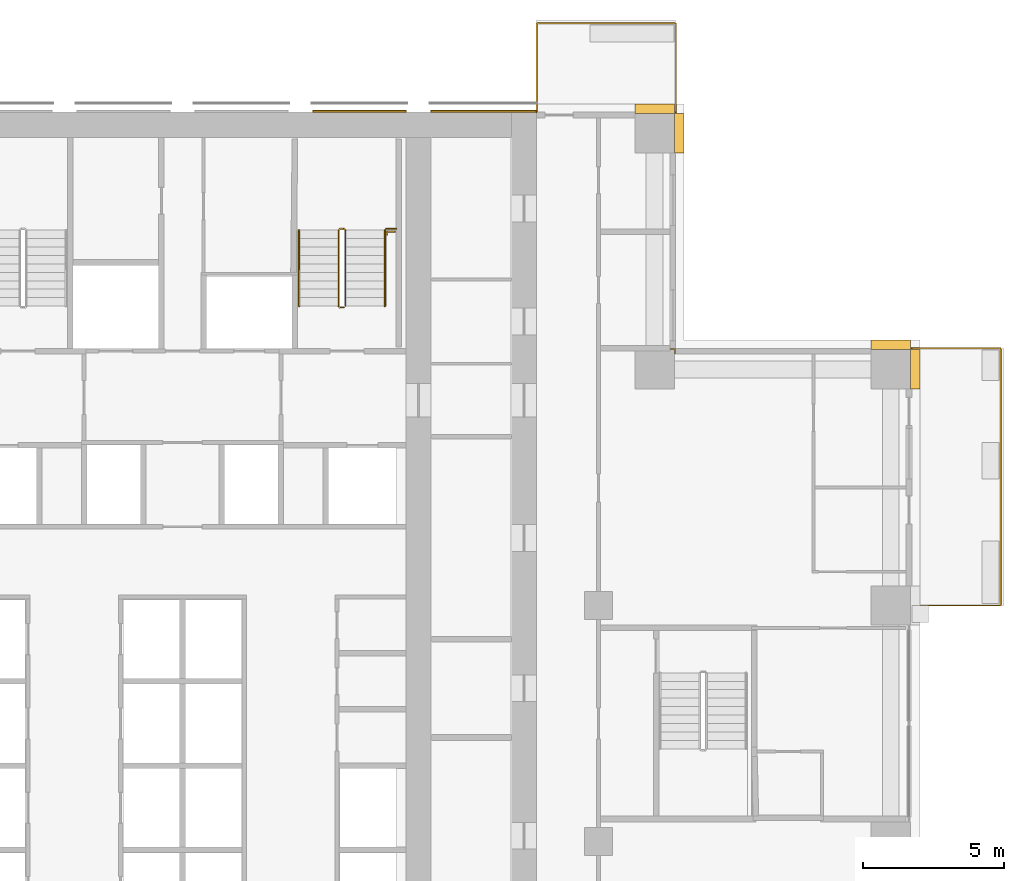
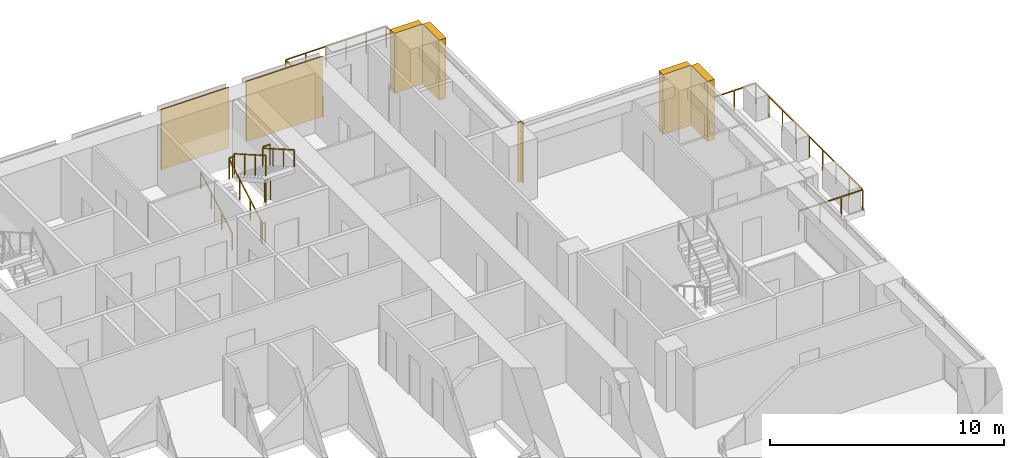
# One storey, part 16 of 16: 7 coverings, 7 railings.
"""IFC4 building model written with IfcOpenShell, lengths in metres."""

from ifc_helpers import new_model, si_unit, direction, frame, origin, origin_2d, place, context, subcontext, project, spatial, polyline, rectangle, outline, extrude, material, type_object, element, save


model = new_model("IFC4")

# Units and contexts
model_context = context("Model", 3, precision=1e-05, world=origin(), true_north=direction((0.0, 1.0)))
body_context = subcontext(model_context, "Body", "Model", "MODEL_VIEW")
ifc_project = project(units=[si_unit("LENGTHUNIT", "METRE"), si_unit("AREAUNIT", "SQUARE_METRE"), si_unit("VOLUMEUNIT", "CUBIC_METRE"), si_unit("PLANEANGLEUNIT", "RADIAN"), si_unit("MASSUNIT", "GRAM", prefix="KILO")], contexts=[model_context])

# Site, building, storey
site_placement = place(None, origin())
site = spatial("IfcSite", under=ifc_project, at=site_placement, CompositionType="ELEMENT")
building_placement = place(site_placement, origin())
building = spatial("IfcBuilding", under=site, at=building_placement, Name="Vermilion Ogive Tower", CompositionType="ELEMENT")
storey_placement = place(building_placement, frame((0.0, 0.0, 44.85009765625)))
storey = spatial("IfcBuildingStorey", under=building, at=storey_placement, Name="L09", CompositionType="ELEMENT", Elevation=44.85009765625)

# Railings
ifc_material_1 = material(Name="Stainless steel and glass", Category="steel")
railing_type_1 = type_object("IfcRailingType", Name="Balcony guard", PredefinedType="GUARDRAIL", material=ifc_material_1)
railing_1_placement = place(storey_placement, frame((25.949951171875, 4.199951171875, -0.0400390625)))
element("IfcRailing", 1, at=railing_1_placement, inside=storey, type_object=railing_type_1, Name="Guard E03", PredefinedType="GUARDRAIL", context=body_context, shape_type="SweptSolid", body=[
    extrude(rectangle(XDim=0.048095703125, YDim=0.048095703125, at=origin_2d()), frame((0.0, 0.0, 1.076171875), z_axis=(1.0, 0.0, 0.0), x_axis=(0.0, 1.0, 0.0)), (0.0, 0.0, 1.0), 3.16015625),
    extrude(rectangle(XDim=0.048095703125, YDim=0.048095703125, at=origin_2d()), frame((3.16015625, 0.0, 1.076171875), z_axis=(0.0, 1.0, 0.0), x_axis=(-1.0, 0.0, 0.0)), (0.0, 0.0, 1.0), 9.150146484375),
    extrude(rectangle(XDim=0.048095703125, YDim=0.048095703125, at=origin_2d()), frame((3.16015625, 9.150146484375, 1.076171875), z_axis=(-1.0, 0.0, 0.0), x_axis=(0.0, -1.0, 0.0)), (0.0, 0.0, 1.0), 3.16015625),
    extrude(rectangle(XDim=0.0419921875, YDim=0.0419921875, at=origin_2d()), origin(), (0.0, 0.0, 1.0), 1.052001953125),
    extrude(rectangle(XDim=0.0419921875, YDim=0.0419921875, at=origin_2d()), frame((1.053466796875, 0.0, 0.0)), (0.0, 0.0, 1.0), 1.052001953125),
    extrude(rectangle(XDim=0.0419921875, YDim=0.0419921875, at=origin_2d()), frame((2.106689453125, 0.0, 0.0)), (0.0, 0.0, 1.0), 1.052001953125),
    extrude(rectangle(XDim=0.0419921875, YDim=0.0419921875, at=origin_2d()), frame((3.16015625, 0.0, 0.0)), (0.0, 0.0, 1.0), 1.052001953125),
    extrude(rectangle(XDim=0.0419921875, YDim=0.0419921875, at=origin_2d()), frame((3.16015625, 1.143798828125, 0.0)), (0.0, 0.0, 1.0), 1.052001953125),
    extrude(rectangle(XDim=0.0419921875, YDim=0.0419921875, at=origin_2d()), frame((3.16015625, 2.28759765625, 0.0)), (0.0, 0.0, 1.0), 1.052001953125),
    extrude(rectangle(XDim=0.0419921875, YDim=0.0419921875, at=origin_2d()), frame((3.16015625, 3.431396484375, 0.0)), (0.0, 0.0, 1.0), 1.052001953125),
    extrude(rectangle(XDim=0.0419921875, YDim=0.0419921875, at=origin_2d()), frame((3.16015625, 4.5751953125, 0.0)), (0.0, 0.0, 1.0), 1.052001953125),
    extrude(rectangle(XDim=0.0419921875, YDim=0.0419921875, at=origin_2d()), frame((3.16015625, 5.71875, 0.0)), (0.0, 0.0, 1.0), 1.052001953125),
    extrude(rectangle(XDim=0.0419921875, YDim=0.0419921875, at=origin_2d()), frame((3.16015625, 6.862548828125, 0.0)), (0.0, 0.0, 1.0), 1.052001953125),
    extrude(rectangle(XDim=0.0419921875, YDim=0.0419921875, at=origin_2d()), frame((3.16015625, 8.00634765625, 0.0)), (0.0, 0.0, 1.0), 1.052001953125),
    extrude(rectangle(XDim=0.0419921875, YDim=0.0419921875, at=origin_2d()), frame((3.16015625, 9.150146484375, 0.0)), (0.0, 0.0, 1.0), 1.052001953125),
    extrude(rectangle(XDim=0.0419921875, YDim=0.0419921875, at=origin_2d()), frame((2.106689453125, 9.150146484375, 0.0)), (0.0, 0.0, 1.0), 1.052001953125),
    extrude(rectangle(XDim=0.0419921875, YDim=0.0419921875, at=origin_2d()), frame((1.053466796875, 9.150146484375, 0.0)), (0.0, 0.0, 1.0), 1.052001953125),
    extrude(rectangle(XDim=0.0419921875, YDim=0.0419921875, at=origin_2d()), frame((0.0, 9.150146484375, 0.0)), (0.0, 0.0, 1.0), 1.052001953125),
])
railing_2_placement = place(storey_placement, frame((17.550048828125, 21.75, -0.0400390625)))
element("IfcRailing", 2, at=railing_2_placement, inside=storey, type_object=railing_type_1, Name="Guard N101", PredefinedType="GUARDRAIL", context=body_context, shape_type="SweptSolid", body=[
    extrude(rectangle(XDim=0.048095703125, YDim=0.048095703125, at=origin_2d()), frame((0.0, 0.0, 1.076171875), z_axis=(0.0, 1.0, 0.0), x_axis=(-1.0, 0.0, 0.0)), (0.0, 0.0, 1.0), 3.159912109375),
    extrude(rectangle(XDim=0.048095703125, YDim=0.048095703125, at=origin_2d()), frame((0.0, 3.159912109375, 1.076171875), z_axis=(-1.0, 0.0, 0.0), x_axis=(0.0, -1.0, 0.0)), (0.0, 0.0, 1.0), 4.949951171875),
    extrude(rectangle(XDim=0.048095703125, YDim=0.048095703125, at=origin_2d()), frame((-4.949951171875, 3.159912109375, 1.076171875), z_axis=(0.0, -1.0, 0.0), x_axis=(1.0, 0.0, 0.0)), (0.0, 0.0, 1.0), 3.159912109375),
    extrude(rectangle(XDim=0.0419921875, YDim=0.0419921875, at=origin_2d()), origin(), (0.0, 0.0, 1.0), 1.052001953125),
    extrude(rectangle(XDim=0.0419921875, YDim=0.0419921875, at=origin_2d()), frame((0.0, 1.05322265625, 0.0)), (0.0, 0.0, 1.0), 1.052001953125),
    extrude(rectangle(XDim=0.0419921875, YDim=0.0419921875, at=origin_2d()), frame((0.0, 2.106689453125, 0.0)), (0.0, 0.0, 1.0), 1.052001953125),
    extrude(rectangle(XDim=0.0419921875, YDim=0.0419921875, at=origin_2d()), frame((0.0, 3.159912109375, 0.0)), (0.0, 0.0, 1.0), 1.052001953125),
    extrude(rectangle(XDim=0.0419921875, YDim=0.0419921875, at=origin_2d()), frame((-0.989990234375, 3.159912109375, 0.0)), (0.0, 0.0, 1.0), 1.052001953125),
    extrude(rectangle(XDim=0.0419921875, YDim=0.0419921875, at=origin_2d()), frame((-1.97998046875, 3.159912109375, 0.0)), (0.0, 0.0, 1.0), 1.052001953125),
    extrude(rectangle(XDim=0.0419921875, YDim=0.0419921875, at=origin_2d()), frame((-2.969970703125, 3.159912109375, 0.0)), (0.0, 0.0, 1.0), 1.052001953125),
    extrude(rectangle(XDim=0.0419921875, YDim=0.0419921875, at=origin_2d()), frame((-3.9599609375, 3.159912109375, 0.0)), (0.0, 0.0, 1.0), 1.052001953125),
    extrude(rectangle(XDim=0.0419921875, YDim=0.0419921875, at=origin_2d()), frame((-4.949951171875, 3.159912109375, 0.0)), (0.0, 0.0, 1.0), 1.052001953125),
    extrude(rectangle(XDim=0.0419921875, YDim=0.0419921875, at=origin_2d()), frame((-4.949951171875, 2.106689453125, 0.0)), (0.0, 0.0, 1.0), 1.052001953125),
    extrude(rectangle(XDim=0.0419921875, YDim=0.0419921875, at=origin_2d()), frame((-4.949951171875, 1.05322265625, 0.0)), (0.0, 0.0, 1.0), 1.052001953125),
    extrude(rectangle(XDim=0.0419921875, YDim=0.0419921875, at=origin_2d()), frame((-4.949951171875, 0.0, 0.0)), (0.0, 0.0, 1.0), 1.052001953125),
])
ifc_material_2 = material(Name="Steel S355 painted", Category="steel")
railing_type_2 = type_object("IfcRailingType", Name="Stair guard 1100", PredefinedType="GUARDRAIL", material=ifc_material_2)
railing_3_placement = place(storey_placement, frame((5.75, 14.800048828125, 0.0)))
element("IfcRailing", 3, at=railing_3_placement, inside=storey, type_object=railing_type_2, Name="L09 ST2 stair guard 4", PredefinedType="GUARDRAIL", context=body_context, shape_type="SweptSolid", body=[
    extrude(rectangle(XDim=0.048095703125, YDim=0.048095703125, at=origin_2d()), frame((0.0, 0.0, 1.076171875), z_axis=(-1.0, 0.0, 0.0), x_axis=(0.0, -1.0, 0.0)), (0.0, 0.0, 1.0), 0.14990234375),
    extrude(rectangle(XDim=0.048095703125, YDim=0.048095703125, at=origin_2d()), frame((-0.14990234375, 0.0, 1.076171875), z_axis=(-0.268603158521, 0.268603158521, 0.925043072762), x_axis=(-0.707106781187, -0.707106781187, 0.0)), (0.0, 0.0, 1.0), 0.186279296875),
    extrude(rectangle(XDim=0.048095703125, YDim=0.048095703125, at=origin_2d()), frame((-0.199951171875, 0.050048828125, 1.24853515625), z_axis=(0.0, 0.866903762492, 0.498475542607), x_axis=(-1.0, 0.0, 0.0)), (0.0, 0.0, 1.0), 3.114501953125),
    extrude(rectangle(XDim=0.048095703125, YDim=0.048095703125, at=origin_2d()), frame((-0.199951171875, 2.75, 2.80078125), z_axis=(0.707106781187, 0.707106781187, 0.0), x_axis=(-0.707106781187, 0.707106781187, 0.0)), (0.0, 0.0, 1.0), 0.07080078125),
    extrude(rectangle(XDim=0.048095703125, YDim=0.048095703125, at=origin_2d()), frame((-0.14990234375, 2.800048828125, 2.80078125), z_axis=(1.0, 0.0, 0.0), x_axis=(0.0, 1.0, 0.0)), (0.0, 0.0, 1.0), 0.14990234375),
    extrude(rectangle(XDim=0.048095703125, YDim=0.048095703125, at=origin_2d()), frame((0.0, 2.800048828125, 2.80078125), z_axis=(0.268277960024, -0.268277960024, 0.925231793839), x_axis=(0.707106781187, 0.707106781187, 0.0)), (0.0, 0.0, 1.0), 0.1865234375),
    extrude(rectangle(XDim=0.048095703125, YDim=0.048095703125, at=origin_2d()), frame((0.050048828125, 2.75, 2.9736328125), z_axis=(0.0, -0.866903762492, 0.498475542607), x_axis=(1.0, 0.0, 0.0)), (0.0, 0.0, 1.0), 3.114501953125),
    extrude(rectangle(XDim=0.0419921875, YDim=0.0419921875, at=origin_2d()), origin(), (0.0, 0.0, 1.0), 1.052001953125),
    extrude(rectangle(XDim=0.0419921875, YDim=0.0419921875, at=origin_2d()), frame((-0.14990234375, 0.0, 0.0)), (0.0, 0.0, 1.0), 1.052001953125),
    extrude(rectangle(XDim=0.0419921875, YDim=0.0419921875, at=origin_2d()), frame((-0.199951171875, 0.050048828125, 0.17236328125)), (0.0, 0.0, 1.0), 1.052001953125),
    extrude(rectangle(XDim=0.0419921875, YDim=0.0419921875, at=origin_2d()), frame((-0.199951171875, 0.949951171875, 0.68994140625)), (0.0, 0.0, 1.0), 1.052001953125),
    extrude(rectangle(XDim=0.0419921875, YDim=0.0419921875, at=origin_2d()), frame((-0.199951171875, 1.85009765625, 1.207275390625)), (0.0, 0.0, 1.0), 1.052001953125),
    extrude(rectangle(XDim=0.0419921875, YDim=0.0419921875, at=origin_2d()), frame((-0.199951171875, 2.75, 1.724853515625)), (0.0, 0.0, 1.0), 1.052001953125),
    extrude(rectangle(XDim=0.0419921875, YDim=0.0419921875, at=origin_2d()), frame((-0.14990234375, 2.800048828125, 1.724853515625)), (0.0, 0.0, 1.0), 1.052001953125),
    extrude(rectangle(XDim=0.0419921875, YDim=0.0419921875, at=origin_2d()), frame((0.0, 2.800048828125, 1.724853515625)), (0.0, 0.0, 1.0), 1.052001953125),
    extrude(rectangle(XDim=0.0419921875, YDim=0.0419921875, at=origin_2d()), frame((0.050048828125, 2.75, 1.8974609375)), (0.0, 0.0, 1.0), 1.052001953125),
    extrude(rectangle(XDim=0.0419921875, YDim=0.0419921875, at=origin_2d()), frame((0.050048828125, 1.85009765625, 2.4150390625)), (0.0, 0.0, 1.0), 1.052001953125),
    extrude(rectangle(XDim=0.0419921875, YDim=0.0419921875, at=origin_2d()), frame((0.050048828125, 0.949951171875, 2.932373046875)), (0.0, 0.0, 1.0), 1.052001953125),
    extrude(rectangle(XDim=0.0419921875, YDim=0.0419921875, at=origin_2d()), frame((0.050048828125, 0.050048828125, 3.449951171875)), (0.0, 0.0, 1.0), 1.052001953125),
])
railing_4_placement = place(storey_placement, frame((7.25, 17.60009765625, 1.724853515625)))
element("IfcRailing", 4, at=railing_4_placement, inside=storey, type_object=railing_type_2, Name="L09 landing guard", PredefinedType="GUARDRAIL", context=body_context, shape_type="SweptSolid", body=[
    extrude(rectangle(XDim=0.048095703125, YDim=0.048095703125, at=origin_2d()), frame((0.0, 0.0, 1.076171875), z_axis=(1.0, 0.0, 0.0), x_axis=(0.0, 1.0, 0.0)), (0.0, 0.0, 1.0), 0.35009765625),
    extrude(rectangle(XDim=0.0419921875, YDim=0.0419921875, at=origin_2d()), origin(), (0.0, 0.0, 1.0), 1.052001953125),
    extrude(rectangle(XDim=0.0419921875, YDim=0.0419921875, at=origin_2d()), frame((0.35009765625, 0.0, 0.0)), (0.0, 0.0, 1.0), 1.052001953125),
])
railing_5_placement = place(storey_placement, frame((7.27294921875, 17.37451171875, 0.0)))
element("IfcRailing", 5, at=railing_5_placement, inside=storey, type_object=railing_type_2, Name="L09 stair opening guard", PredefinedType="GUARDRAIL", context=body_context, shape_type="SweptSolid", body=[
    extrude(rectangle(XDim=0.048095703125, YDim=0.048095703125, at=origin_2d()), frame((0.0, 0.0, 1.076171875), z_axis=(0.0, 1.0, 0.0), x_axis=(-1.0, 0.0, 0.0)), (0.0, 0.0, 1.0), 0.1201171875),
    extrude(rectangle(XDim=0.048095703125, YDim=0.048095703125, at=origin_2d()), frame((0.0, 0.1201171875, 1.076171875), z_axis=(1.0, 0.0, 0.0), x_axis=(0.0, 1.0, 0.0)), (0.0, 0.0, 1.0), 0.2900390625),
    extrude(rectangle(XDim=0.0419921875, YDim=0.0419921875, at=origin_2d()), origin(), (0.0, 0.0, 1.0), 1.052001953125),
    extrude(rectangle(XDim=0.0419921875, YDim=0.0419921875, at=origin_2d()), frame((0.0, 0.1201171875, 0.0)), (0.0, 0.0, 1.0), 1.052001953125),
    extrude(rectangle(XDim=0.0419921875, YDim=0.0419921875, at=origin_2d()), frame((0.2900390625, 0.1201171875, 0.0)), (0.0, 0.0, 1.0), 1.052001953125),
])
ifc_material_3 = material(Name="Stainless steel", Category="steel")
railing_type_3 = type_object("IfcRailingType", Name="Stair handrail 900", PredefinedType="HANDRAIL", material=ifc_material_3)
railing_6_placement = place(storey_placement, frame((4.14990234375, 14.85009765625, 0.17236328125)))
element("IfcRailing", 6, at=railing_6_placement, inside=storey, type_object=railing_type_3, Name="L09 ST2 stair handrail 1", PredefinedType="HANDRAIL", context=body_context, shape_type="SweptSolid", body=[
    extrude(rectangle(XDim=0.048095703125, YDim=0.048095703125, at=origin_2d()), frame((0.0, 0.0, 0.8759765625), z_axis=(0.0, 0.866903762492, 0.498475542607), x_axis=(-1.0, 0.0, 0.0)), (0.0, 0.0, 1.0), 3.114501953125),
    extrude(rectangle(XDim=0.0419921875, YDim=0.0419921875, at=origin_2d()), origin(), (0.0, 0.0, 1.0), 0.851806640625),
    extrude(rectangle(XDim=0.0419921875, YDim=0.0419921875, at=origin_2d()), frame((0.0, 0.89990234375, 0.517578125)), (0.0, 0.0, 1.0), 0.851806640625),
    extrude(rectangle(XDim=0.0419921875, YDim=0.0419921875, at=origin_2d()), frame((0.0, 1.800048828125, 1.034912109375)), (0.0, 0.0, 1.0), 0.851806640625),
    extrude(rectangle(XDim=0.0419921875, YDim=0.0419921875, at=origin_2d()), frame((0.0, 2.699951171875, 1.552490234375)), (0.0, 0.0, 1.0), 0.851806640625),
])
railing_7_placement = place(storey_placement, frame((7.199951171875, 17.550048828125, 1.8974609375)))
element("IfcRailing", 7, at=railing_7_placement, inside=storey, type_object=railing_type_3, Name="L09 ST2 stair handrail 2", PredefinedType="HANDRAIL", context=body_context, shape_type="SweptSolid", body=[
    extrude(rectangle(XDim=0.048095703125, YDim=0.048095703125, at=origin_2d()), frame((0.0, 0.0, 0.8759765625), z_axis=(0.0, -0.866903762492, 0.498475542607), x_axis=(1.0, 0.0, 0.0)), (0.0, 0.0, 1.0), 3.114501953125),
    extrude(rectangle(XDim=0.0419921875, YDim=0.0419921875, at=origin_2d()), origin(), (0.0, 0.0, 1.0), 0.851806640625),
    extrude(rectangle(XDim=0.0419921875, YDim=0.0419921875, at=origin_2d()), frame((0.0, -0.89990234375, 0.517578125)), (0.0, 0.0, 1.0), 0.851806640625),
    extrude(rectangle(XDim=0.0419921875, YDim=0.0419921875, at=origin_2d()), frame((0.0, -1.800048828125, 1.034912109375)), (0.0, 0.0, 1.0), 0.851806640625),
    extrude(rectangle(XDim=0.0419921875, YDim=0.0419921875, at=origin_2d()), frame((0.0, -2.699951171875, 1.552490234375)), (0.0, 0.0, 1.0), 0.851806640625),
])

# Coverings
ifc_material_4 = material(Name="Stone cladding", Category="masonry")
covering_type_1 = type_object("IfcCoveringType", Name="Stone cladding panel", PredefinedType="CLADDING", material=ifc_material_4)
covering_1_placement = place(storey_placement, origin())
element("IfcCovering", 8, at=covering_1_placement, inside=storey, type_object=covering_type_1, Name="Stone cladding panel N5", PredefinedType="CLADDING", context=body_context, shape_type="SweptSolid", body=[
    extrude(outline(polyline([(4.6298828125, 21.75), (7.969970703125, 21.75), (7.969970703125, 21.81005859375), (4.6298828125, 21.81005859375), (4.6298828125, 21.75)])), origin(), (0.0, 0.0, 1.0), 3.1298828125),
])
covering_2_placement = place(storey_placement, origin())
element("IfcCovering", 9, at=covering_2_placement, inside=storey, type_object=covering_type_1, Name="Stone cladding panel N6", PredefinedType="CLADDING", context=body_context, shape_type="SweptSolid", body=[
    extrude(outline(polyline([(8.830078125, 21.75), (12.590087890625, 21.75), (12.590087890625, 21.81005859375), (8.830078125, 21.81005859375), (8.830078125, 21.75)])), origin(), (0.0, 0.0, 1.0), 3.1298828125),
])
ifc_material_5 = material(Name="Stone cladding", Category="masonry")
covering_type_2 = type_object("IfcCoveringType", Name="Stone pier", PredefinedType="CLADDING", material=ifc_material_5)
covering_3_placement = place(storey_placement, origin())
element("IfcCovering", 10, at=covering_3_placement, inside=storey, type_object=covering_type_2, Name="Stone corner pier X3E1", PredefinedType="CLADDING", context=body_context, shape_type="SweptSolid", body=[
    extrude(outline(polyline([(17.5, 13.14990234375), (17.5, 13.300048828125), (17.35009765625, 13.300048828125), (17.35009765625, 13.35009765625), (17.550048828125, 13.35009765625), (17.550048828125, 13.14990234375), (17.5, 13.14990234375)])), origin(), (0.0, 0.0, 1.0), 3.1298828125),
])
covering_4_placement = place(storey_placement, origin())
element("IfcCovering", 11, at=covering_4_placement, inside=storey, type_object=covering_type_2, Name="Stone pier P+0168+210X4", PredefinedType="CLADDING", context=body_context, shape_type="SweptSolid", body=[
    extrude(outline(polyline([(17.85009765625, 21.699951171875), (17.85009765625, 20.300048828125), (17.5, 20.300048828125), (17.5, 21.699951171875), (17.85009765625, 21.699951171875)])), origin(), (0.0, 0.0, 1.0), 3.1298828125),
])
covering_5_placement = place(storey_placement, origin())
element("IfcCovering", 12, at=covering_5_placement, inside=storey, type_object=covering_type_2, Name="Stone pier P+0168+210N1", PredefinedType="CLADDING", context=body_context, shape_type="SweptSolid", body=[
    extrude(outline(polyline([(17.5, 22.050048828125), (17.5, 21.699951171875), (16.10009765625, 21.699951171875), (16.10009765625, 22.050048828125), (17.5, 22.050048828125)])), origin(), (0.0, 0.0, 1.0), 3.1298828125),
])
covering_6_placement = place(storey_placement, origin())
element("IfcCovering", 13, at=covering_6_placement, inside=storey, type_object=covering_type_2, Name="Stone pier P+0252+126E", PredefinedType="CLADDING", context=body_context, shape_type="SweptSolid", body=[
    extrude(outline(polyline([(26.25, 13.300048828125), (26.25, 11.89990234375), (25.89990234375, 11.89990234375), (25.89990234375, 13.300048828125), (26.25, 13.300048828125)])), origin(), (0.0, 0.0, 1.0), 3.1298828125),
])
covering_7_placement = place(storey_placement, origin())
element("IfcCovering", 14, at=covering_7_placement, inside=storey, type_object=covering_type_2, Name="Stone pier P+0252+126X3", PredefinedType="CLADDING", context=body_context, shape_type="SweptSolid", body=[
    extrude(outline(polyline([(25.89990234375, 13.64990234375), (25.89990234375, 13.300048828125), (24.5, 13.300048828125), (24.5, 13.64990234375), (25.89990234375, 13.64990234375)])), origin(), (0.0, 0.0, 1.0), 3.1298828125),
])

save(model, "model.ifc")
